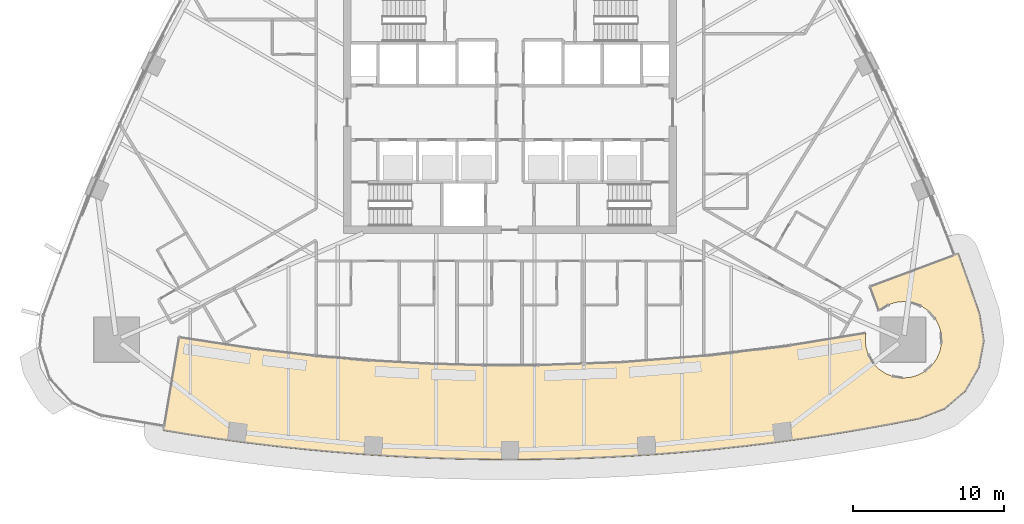
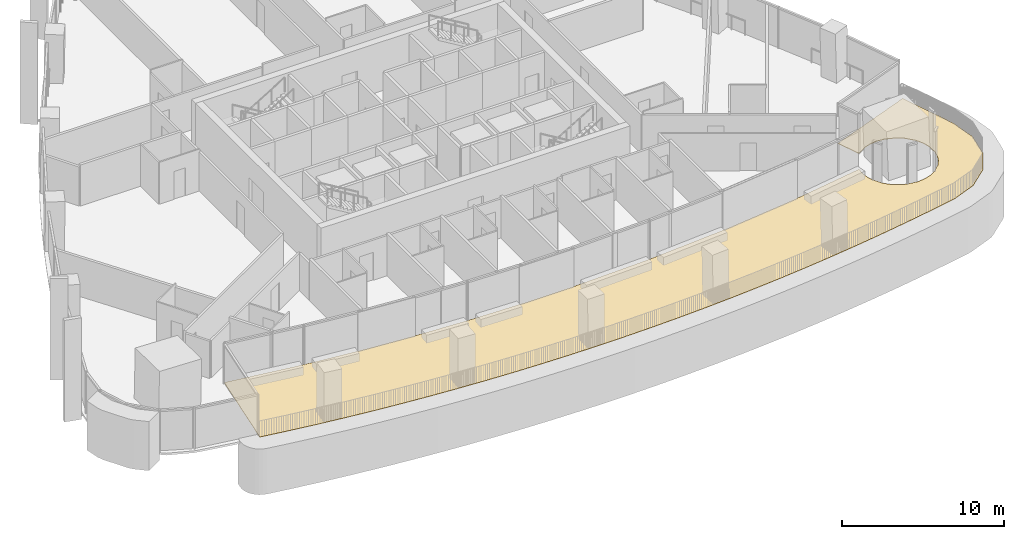
# One storey, part 21 of 25: 1 covering.
"""IFC4 building model written with IfcOpenShell, lengths in metres."""

from ifc_helpers import new_model, si_unit, direction, frame, origin, place, context, subcontext, project, spatial, polyline, outline, extrude, material, layer, layer_set, type_object, element, save


model = new_model("IFC4")

# Units and contexts
model_context = context("Model", 3, precision=1e-05, world=origin(), true_north=direction((0.0, 1.0)))
body_context = subcontext(model_context, "Body", "Model", "MODEL_VIEW")
ifc_project = project(units=[si_unit("LENGTHUNIT", "METRE"), si_unit("AREAUNIT", "SQUARE_METRE"), si_unit("VOLUMEUNIT", "CUBIC_METRE"), si_unit("PLANEANGLEUNIT", "RADIAN"), si_unit("MASSUNIT", "GRAM", prefix="KILO")], contexts=[model_context])

# Site, building, storey
site_placement = place(None, origin())
site = spatial("IfcSite", under=ifc_project, at=site_placement, CompositionType="ELEMENT")
building_placement = place(site_placement, origin())
building = spatial("IfcBuilding", under=site, at=building_placement, Name="Sierra Prisma Convention Tower", CompositionType="ELEMENT")
storey_placement = place(building_placement, frame((0.0, 0.0, 88.699951171875)))
storey = spatial("IfcBuildingStorey", under=building, at=storey_placement, Name="L18", CompositionType="ELEMENT", Elevation=88.699951171875)

# Covering
ifc_material = material(Name="Porcelain stoneware paving", Category="masonry")
ifc_layer = layer(ifc_material, 0.0400390625)
ifc_layer_set = layer_set([ifc_layer], Name="Terrace paving")
covering_type = type_object("IfcCoveringType", Name="Terrace paving", PredefinedType="FLOORING", material=ifc_layer_set)
covering_placement = place(storey_placement, origin())
element("IfcCovering", 1, at=covering_placement, inside=storey, type_object=covering_type, Name="Terrace paving L18", PredefinedType="FLOORING", context=body_context, shape_type="SweptSolid", body=[
    extrude(outline(polyline([(-22.88671875, -21.01953125), (-21.311767578125, -21.27978515625), (-19.38818359375, -21.5693359375), (-17.46044921875, -21.83154296875), (-15.529296875, -22.06640625), (-13.59521484375, -22.273681640625), (-11.657958984375, -22.453369140625), (-9.71875, -22.60546875), (-7.77734375, -22.72998046875), (-5.834228515625, -22.826904296875), (-3.89013671875, -22.89599609375), (-1.9453125, -22.9375), (0.0, -22.951416015625), (1.9453125, -22.9375), (3.89013671875, -22.89599609375), (5.834228515625, -22.826904296875), (7.77734375, -22.72998046875), (9.71875, -22.60546875), (11.657958984375, -22.453369140625), (13.59521484375, -22.273681640625), (15.529296875, -22.06640625), (17.46044921875, -21.83154296875), (19.38818359375, -21.5693359375), (21.311767578125, -21.27978515625), (23.231201171875, -20.962646484375), (25.145751953125, -20.618408203125), (27.055419921875, -20.2470703125), (28.737548828125, -19.5966796875), (30.107666015625, -18.423828125), (31.00927734375, -16.862060546875), (31.340087890625, -15.089111328125), (31.06201171875, -13.30712890625), (30.428955078125, -11.4677734375), (29.769775390625, -9.637451171875), (29.64697265625, -9.310546875), (23.78369140625, -11.501953125), (24.369384765625, -13.087158203125), (25.032958984375, -12.680419921875), (25.505859375, -12.536865234375), (25.997802734375, -12.488525390625), (26.48974609375, -12.536865234375), (27.186279296875, -12.7861328125), (27.597412109375, -13.060791015625), (28.09423828125, -13.609130859375), (28.3271484375, -14.044921875), (28.470703125, -14.51806640625), (28.507080078125, -15.257080078125), (28.41064453125, -15.74169921875), (28.221435546875, -16.198486328125), (27.94677734375, -16.609375), (27.398681640625, -17.106201171875), (26.962646484375, -17.33935546875), (26.48974609375, -17.482666015625), (25.997802734375, -17.53125), (25.265869140625, -17.422607421875), (24.809326171875, -17.2333984375), (24.398193359375, -16.958740234375), (24.048828125, -16.609375), (23.66845703125, -15.974609375), (23.52490234375, -15.501708984375), (23.4765625, -15.009765625), (23.5185546875, -14.560791015625), (18.50146484375, -15.38232421875), (12.973388671875, -16.054443359375), (7.421630859375, -16.489990234375), (1.8564453125, -16.68798828125), (-1.8564453125, -16.68798828125), (-5.567626953125, -16.582275390625), (-9.274169921875, -16.37109375), (-12.973388671875, -16.054443359375), (-16.662109375, -15.632568359375), (-21.852783203125, -14.84619140625), (-22.88671875, -21.01953125)])), origin(), (0.0, 0.0, 1.0), 0.0400390625),
])

save(model, "model.ifc")
